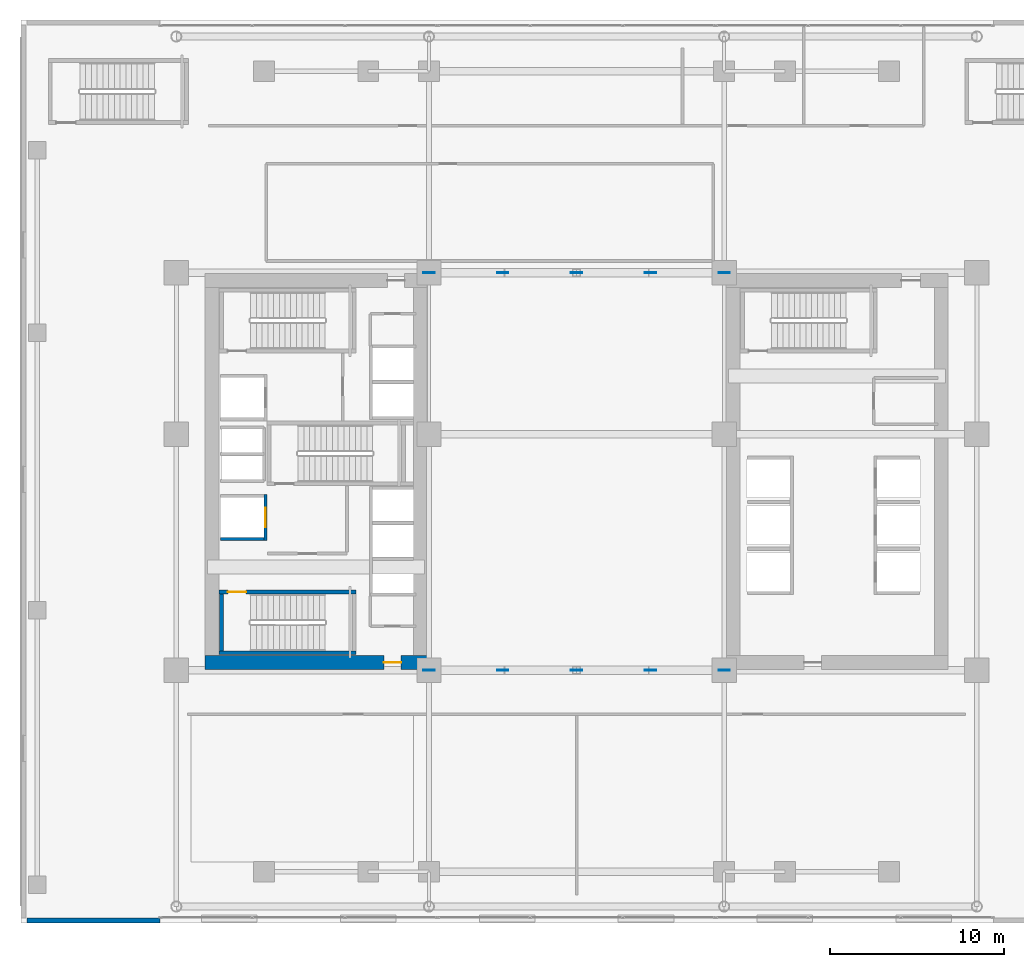
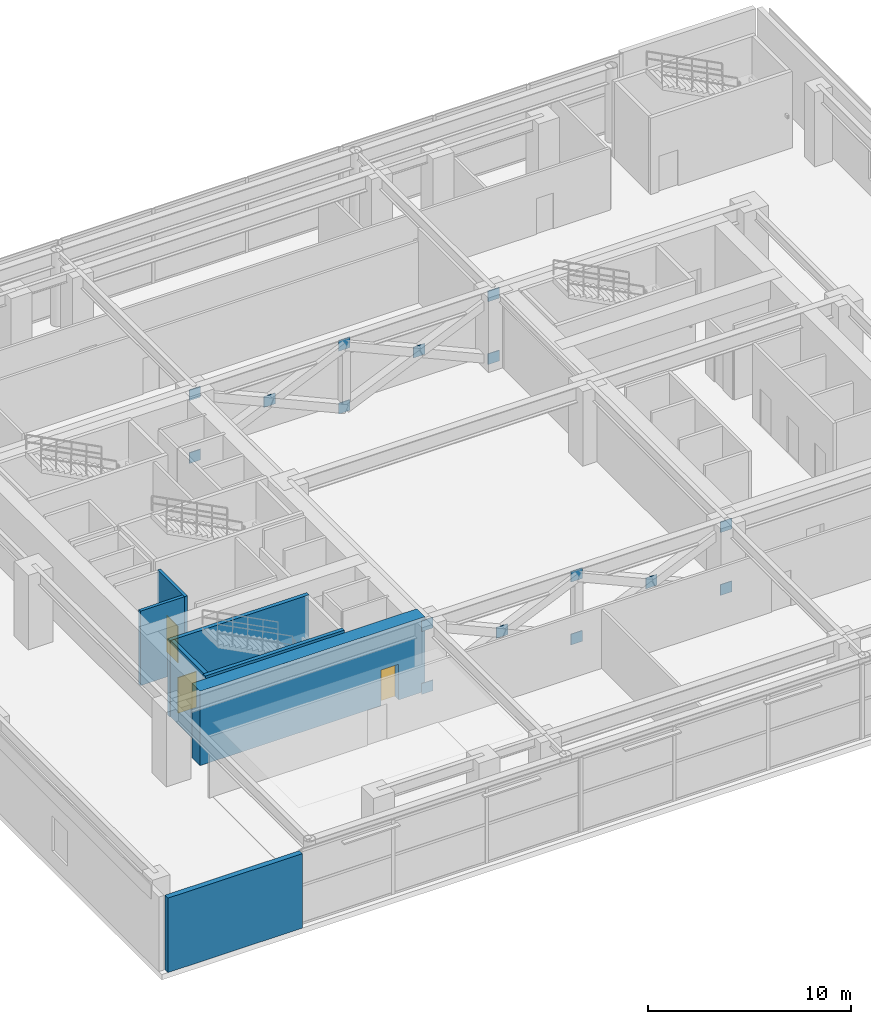
# One storey, part 18 of 28: 16 plates, 7 walls, 3 doors, 3 openings.
"""IFC4 building model written with IfcOpenShell, lengths in metres."""

from ifc_helpers import new_model, si_unit, direction, frame, frame_2d, origin, origin_2d, place, context, subcontext, project, spatial, rectangle, extrude, source, transform, mapped, material, layer, layer_set, type_object, element, fill, save


model = new_model("IFC4")

# Units and contexts
model_context = context("Model", 3, precision=1e-05, world=origin(), true_north=direction((0.0, 1.0)))
body_context = subcontext(model_context, "Body", "Model", "MODEL_VIEW")
ifc_project = project(units=[si_unit("LENGTHUNIT", "METRE"), si_unit("AREAUNIT", "SQUARE_METRE"), si_unit("VOLUMEUNIT", "CUBIC_METRE"), si_unit("PLANEANGLEUNIT", "RADIAN"), si_unit("MASSUNIT", "GRAM", prefix="KILO")], contexts=[model_context])

# Site, building, storey
site_placement = place(None, origin())
site = spatial("IfcSite", under=ifc_project, at=site_placement, CompositionType="ELEMENT")
building_placement = place(site_placement, origin())
building = spatial("IfcBuilding", under=site, at=building_placement, Name="Ocotamira Hotel", CompositionType="ELEMENT")
storey_placement = place(building_placement, frame((0.0, 0.0, 24.0)))
storey = spatial("IfcBuildingStorey", under=building, at=storey_placement, Name="L05", CompositionType="ELEMENT", Elevation=24.0)

# Plates
ifc_material_1 = material(Name="Pale-metal coated steel ASTM A572 Grade 50", Category="steel")
ifc_layer_1 = layer(ifc_material_1, 0.0400390625)
ifc_layer_set_1 = layer_set([ifc_layer_1], Name="Pale-metal coated steel ASTM A572 Grade 50")
plate_type = type_object("IfcPlateType", Name="PLT-GUSSET-40", PredefinedType="SHEET", material=ifc_layer_set_1)
shared_shape_1 = source(origin(), body_context, "Body", "SweptSolid", [
    extrude(rectangle(XDim=0.64990234375, YDim=0.0400390625, at=origin_2d()), origin(), (0.0, 0.0, 1.0), 0.64990234375),
])
for number, where, z_axis, x_axis, name in (
    (1, (32.0, 14.550048828125, -0.074951171875), (0.0, 0.0, 1.0), (1.0, 0.0, 0.0), "L05 Portal Transfer Truss Post Y14.55 End Gusset A"),
    (2, (32.0, 14.550048828125, 3.705078125), (0.0, 0.0, 1.0), (1.0, 0.0, 0.0), "L05 Portal Transfer Truss Post Y14.55 End Gusset B"),
    (3, (23.5, 14.550048828125, -0.074951171875), (0.0, 0.0, 1.0), (1.0, 0.0, 0.0), "L05 Portal Transfer Truss Diagonal Y14.55-1 End Gusset A"),
    (4, (27.75, 14.550048828125, 1.81494140625), (0.0, 0.0, 1.0), (1.0, 0.0, 0.0), "L05 Portal Transfer Truss Diagonal Y14.55-3 Crossing Gusset Plate"),
    (5, (23.5, 14.550048828125, 3.705078125), (0.0, 0.0, 1.0), (1.0, 0.0, 0.0), "L05 Portal Transfer Truss Diagonal Y14.55-3 End Gusset A"),
    (6, (40.5, 14.550048828125, -0.074951171875), (0.0, 0.0, 1.0), (1.0, 0.0, 0.0), "L05 Portal Transfer Truss Diagonal Y14.55-2 End Gusset B"),
    (7, (36.25, 14.550048828125, 1.81494140625), (0.0, 0.0, 1.0), (1.0, 0.0, 0.0), "L05 Portal Transfer Truss Diagonal Y14.55-4 Crossing Gusset Plate"),
    (8, (40.5, 14.550048828125, 3.705078125), (0.0, 0.0, 1.0), (1.0, 0.0, 0.0), "L05 Portal Transfer Truss Diagonal Y14.55-4 End Gusset B"),
    (9, (32.0, 37.449951171875, -0.074951171875), (0.0, 0.0, 1.0), (1.0, 0.0, 0.0), "L05 Portal Transfer Truss Post Y37.45 End Gusset A"),
    (10, (32.0, 37.449951171875, 3.705078125), (0.0, 0.0, 1.0), (1.0, 0.0, 0.0), "L05 Portal Transfer Truss Post Y37.45 End Gusset B"),
    (11, (23.5, 37.449951171875, -0.074951171875), (0.0, 0.0, 1.0), (1.0, 0.0, 0.0), "L05 Portal Transfer Truss Diagonal Y37.45-1 End Gusset A"),
    (12, (27.75, 37.449951171875, 1.81494140625), (0.0, 0.0, 1.0), (1.0, 0.0, 0.0), "L05 Portal Transfer Truss Diagonal Y37.45-3 Crossing Gusset Plate"),
    (13, (23.5, 37.449951171875, 3.705078125), (0.0, 0.0, 1.0), (1.0, 0.0, 0.0), "L05 Portal Transfer Truss Diagonal Y37.45-3 End Gusset A"),
    (14, (40.5, 37.449951171875, -0.074951171875), (0.0, 0.0, 1.0), (1.0, 0.0, 0.0), "L05 Portal Transfer Truss Diagonal Y37.45-2 End Gusset B"),
    (15, (36.25, 37.449951171875, 1.81494140625), (0.0, 0.0, 1.0), (1.0, 0.0, 0.0), "L05 Portal Transfer Truss Diagonal Y37.45-4 Crossing Gusset Plate"),
    (16, (40.5, 37.449951171875, 3.705078125), (0.0, 0.0, 1.0), (1.0, 0.0, 0.0), "L05 Portal Transfer Truss Diagonal Y37.45-4 End Gusset B"),
):
    element("IfcPlate", number, at=place(storey_placement, frame(where, z_axis=z_axis, x_axis=x_axis)), inside=storey, type_object=plate_type, Name=name, PredefinedType="SHEET", context=body_context, shape_type="MappedRepresentation", body=[
        mapped(shared_shape_1, transform((0.0, 0.0, 0.0), scale=1.0)),
    ])

# Wall, opening, door
ifc_material_2 = material(Name="Concrete C60/75", Category="concrete")
ifc_layer_2 = layer(ifc_material_2, 0.800048828125)
ifc_layer_set_2 = layer_set([ifc_layer_2], Name="Concrete C60/75")
wall_type_1 = type_object("IfcWallType", Name="WL-CORE-800", PredefinedType="SHEAR", material=ifc_layer_set_2)
wall_1_placement = place(storey_placement, frame((10.60009765625, 15.0, 0.0), z_axis=(0.0, 0.0, 1.0), x_axis=(1.0, 0.0, 0.0)))
wall_1 = element("IfcWall", 17, at=wall_1_placement, inside=storey, type_object=wall_type_1, Name="L05 Shear Core Wall WCORE-S", PredefinedType="SHEAR", context=body_context, shape_type="SweptSolid", body=[
    extrude(rectangle(XDim=12.7998046875, YDim=0.800048828125, at=frame_2d((6.39990234375, 0.0))), origin(), (0.0, 0.0, 1.0), 4.47998046875),
])
opening_1_placement = place(wall_1_placement, frame((10.300048828125, 0.0, 0.0)))
opening_1 = element("IfcOpeningElement", 18, at=opening_1_placement, cuts=wall_1, Name="Opening D-FR2", PredefinedType="OPENING", context=body_context, shape_type="SweptSolid", body=[
    extrude(rectangle(XDim=1.0, YDim=2.14990234375, at=frame_2d((0.5, 1.074951171875))), frame((0.0, 0.41015625, 0.0), z_axis=(0.0, -1.0, 0.0), x_axis=(1.0, 0.0, 0.0)), (0.0, 0.0, 1.0), 0.820068359375),
])
ifc_material_3 = material(Name="Fire-rated acoustic timber-veneer door", Category="wood")
door_type_1 = type_object("IfcDoorType", Name="DR-FIRE-1000", OperationType="NOTDEFINED", PredefinedType="DOOR", material=ifc_material_3)
shared_shape_2 = source(origin(), body_context, "Body", "SweptSolid", [
    extrude(rectangle(XDim=1.0, YDim=2.14990234375, at=frame_2d((0.5, 1.074951171875))), frame((0.0, 0.02490234375, 0.0), z_axis=(0.0, -1.0, 0.0), x_axis=(1.0, 0.0, 0.0)), (0.0, 0.0, 1.0), 0.050048828125),
])
door_1_placement = place(opening_1_placement, origin())
door_1 = element("IfcDoor", 19, at=door_1_placement, inside=storey, type_object=door_type_1, Name="L05 Door ID-L05-WLOB-S-D [ID-L05-WLOB-S-D]", OperationType="SINGLE_SWING_LEFT", OverallHeight=2.14990234375, OverallWidth=1.0, PredefinedType="DOOR", context=body_context, shape_type="MappedRepresentation", body=[
    mapped(shared_shape_2, transform((0.0, 0.0, 0.0), scale=1.0)),
])
fill(opening_1, door_1)

# Walls
ifc_material_4 = material(Name="Travertine-clad precast concrete C45/55", Category="masonry")
ifc_layer_3 = layer(ifc_material_4, 0.300048828125)
ifc_layer_set_3 = layer_set([ifc_layer_3], Name="Travertine-clad precast concrete C45/55")
wall_type_2 = type_object("IfcWallType", Name="WL-EXT-POD-300", PredefinedType="SOLIDWALL", material=ifc_layer_set_3)
wall_2_placement = place(storey_placement, frame((0.35009765625, 0.14990234375, 0.0), z_axis=(0.0, 0.0, 1.0), x_axis=(1.0, 0.0, 0.0)))
element("IfcWall", 20, at=wall_2_placement, inside=storey, type_object=wall_type_2, Name="L05 Podium Perimeter Wall S1", PredefinedType="SOLIDWALL", context=body_context, shape_type="SweptSolid", body=[
    extrude(rectangle(XDim=7.64990234375, YDim=0.300048828125, at=frame_2d((3.824951171875, 0.0))), origin(), (0.0, 0.0, 1.0), 4.47998046875),
])
ifc_material_5 = material(Name="Fire-rated gypsum shaftliner board assembly", Category="gypsum")
ifc_layer_4 = layer(ifc_material_5, 0.179931640625)
ifc_layer_set_4 = layer_set([ifc_layer_4], Name="Fire-rated gypsum shaftliner board assembly")
wall_type_3 = type_object("IfcWallType", Name="WL-SHAFT-180", PredefinedType="SOLIDWALL", material=ifc_layer_set_4)
wall_3_placement = place(storey_placement, frame((11.5, 22.110107421875, 0.0), z_axis=(0.0, 0.0, 1.0), x_axis=(1.0, 0.0, 0.0)))
element("IfcWall", 21, at=wall_3_placement, inside=storey, type_object=wall_type_3, Name="L05 Interior Wall PW-L05-LFW-LF-FSAE1-S", PredefinedType="SOLIDWALL", context=body_context, shape_type="SweptSolid", body=[
    extrude(rectangle(XDim=2.5, YDim=0.179931640625, at=frame_2d((1.25, 0.0))), origin(), (0.0, 0.0, 1.0), 4.47998046875),
])

# Wall, opening, door
wall_4_placement = place(storey_placement, frame((14.090087890625, 22.02001953125, 0.0), z_axis=(0.0, 0.0, 1.0), x_axis=(0.0, 1.0, 0.0)))
wall_4 = element("IfcWall", 22, at=wall_4_placement, inside=storey, type_object=wall_type_3, Name="L05 Interior Wall PW-L05-LFW-LF-FSAE1-E", PredefinedType="SOLIDWALL", context=body_context, shape_type="SweptSolid", body=[
    extrude(rectangle(XDim=2.659912109375, YDim=0.179931640625, at=frame_2d((1.330078125, 0.0))), origin(), (0.0, 0.0, 1.0), 4.47998046875),
])
opening_2_placement = place(wall_4_placement, frame((0.780029296875, 0.0, 0.0)))
opening_2 = element("IfcOpeningElement", 23, at=opening_2_placement, cuts=wall_4, Name="Opening LD-LF-FSAE1", PredefinedType="OPENING", context=body_context, shape_type="SweptSolid", body=[
    extrude(rectangle(XDim=1.10009765625, YDim=2.199951171875, at=frame_2d((0.550048828125, 1.10009765625))), frame((0.0, 0.10009765625, 0.0), z_axis=(0.0, -1.0, 0.0), x_axis=(1.0, 0.0, 0.0)), (0.0, 0.0, 1.0), 0.199951171875),
])
ifc_material_6 = material(Name="Brushed pale-metal stainless elevator landing door", Category="steel")
door_type_2 = type_object("IfcDoorType", Name="DR-LIFT-1100", OperationType="NOTDEFINED", PredefinedType="DOOR", material=ifc_material_6)
shared_shape_3 = source(origin(), body_context, "Body", "SweptSolid", [
    extrude(rectangle(XDim=1.10009765625, YDim=2.199951171875, at=frame_2d((0.550048828125, 1.10009765625))), frame((0.0, 0.02490234375, 0.0), z_axis=(0.0, -1.0, 0.0), x_axis=(1.0, 0.0, 0.0)), (0.0, 0.0, 1.0), 0.050048828125),
])
door_2_placement = place(opening_2_placement, origin())
door_2 = element("IfcDoor", 24, at=door_2_placement, inside=storey, type_object=door_type_2, Name="L05 Landing Door LD-LF-FSAE1 [ID-L05-LD-LF-FSAE1]", OperationType="DOUBLE_DOOR_SLIDING", OverallHeight=2.199951171875, OverallWidth=1.10009765625, PredefinedType="DOOR", context=body_context, shape_type="MappedRepresentation", body=[
    mapped(shared_shape_3, transform((0.0, 0.0, 0.0), scale=1.0)),
])
fill(opening_2, door_2)

# Wall
ifc_material_7 = material(Name="Concrete C50/60", Category="concrete")
ifc_layer_5 = layer(ifc_material_7, 0.219970703125)
ifc_layer_set_5 = layer_set([ifc_layer_5], Name="Concrete C50/60")
wall_type_4 = type_object("IfcWallType", Name="WL-STAIR-220", PredefinedType="SHEAR", material=ifc_layer_set_5)
wall_5_placement = place(storey_placement, frame((11.39990234375, 15.56005859375, 0.0), z_axis=(0.0, 0.0, 1.0), x_axis=(1.0, 0.0, 0.0)))
element("IfcWall", 25, at=wall_5_placement, inside=storey, type_object=wall_type_4, Name="L05 Stair Shaft Structural Wall ST-1-S", PredefinedType="SHEAR", context=body_context, shape_type="SweptSolid", body=[
    extrude(rectangle(XDim=7.91015625, YDim=0.219970703125, at=frame_2d((3.955078125, 0.0))), origin(), (0.0, 0.0, 1.0), 4.60009765625),
])

# Wall, opening, door
wall_6_placement = place(storey_placement, frame((11.39990234375, 19.06005859375, 0.0), z_axis=(0.0, 0.0, 1.0), x_axis=(1.0, 0.0, 0.0)))
wall_6 = element("IfcWall", 26, at=wall_6_placement, inside=storey, type_object=wall_type_4, Name="L05 Stair Shaft Structural Wall ST-1-N", PredefinedType="SHEAR", context=body_context, shape_type="SweptSolid", body=[
    extrude(rectangle(XDim=7.91015625, YDim=0.219970703125, at=frame_2d((3.955078125, 0.0))), origin(), (0.0, 0.0, 1.0), 4.60009765625),
])
opening_3_placement = place(wall_6_placement, frame((0.52001953125, 0.0, 0.0)))
opening_3 = element("IfcOpeningElement", 27, at=opening_3_placement, cuts=wall_6, Name="Opening D-ST2", PredefinedType="OPENING", context=body_context, shape_type="SweptSolid", body=[
    extrude(rectangle(XDim=1.050048828125, YDim=2.14990234375, at=frame_2d((0.52490234375, 1.074951171875))), frame((0.0, 0.1201171875, 0.0), z_axis=(0.0, -1.0, 0.0), x_axis=(1.0, 0.0, 0.0)), (0.0, 0.0, 1.0), 0.239990234375),
])
ifc_material_8 = material(Name="Insulated painted hollow-metal fire exit door", Category="steel")
door_type_3 = type_object("IfcDoorType", Name="DR-STAIR-1050", OperationType="NOTDEFINED", PredefinedType="DOOR", material=ifc_material_8)
shared_shape_4 = source(origin(), body_context, "Body", "SweptSolid", [
    extrude(rectangle(XDim=1.050048828125, YDim=2.14990234375, at=frame_2d((0.52490234375, 1.074951171875))), frame((0.0, 0.02490234375, 0.0), z_axis=(0.0, -1.0, 0.0), x_axis=(1.0, 0.0, 0.0)), (0.0, 0.0, 1.0), 0.050048828125),
])
door_3_placement = place(opening_3_placement, origin())
door_3 = element("IfcDoor", 28, at=door_3_placement, inside=storey, type_object=door_type_3, Name="L05 Door ID-L05-STD-ST-1 [ID-L05-STD-ST-1]", OperationType="SINGLE_SWING_RIGHT", OverallHeight=2.14990234375, OverallWidth=1.050048828125, PredefinedType="DOOR", context=body_context, shape_type="MappedRepresentation", body=[
    mapped(shared_shape_4, transform((0.0, 0.0, 0.0), scale=1.0)),
])
fill(opening_3, door_3)

# Wall
wall_7_placement = place(storey_placement, frame((11.56005859375, 15.669921875, 0.0), z_axis=(0.0, 0.0, 1.0), x_axis=(0.0, 1.0, 0.0)))
element("IfcWall", 29, at=wall_7_placement, inside=storey, type_object=wall_type_4, Name="L05 Stair Shaft Structural Wall ST-1-W", PredefinedType="SHEAR", context=body_context, shape_type="SweptSolid", body=[
    extrude(rectangle(XDim=3.280029296875, YDim=0.219970703125, at=frame_2d((1.64013671875, 0.0))), origin(), (0.0, 0.0, 1.0), 4.60009765625),
])

save(model, "model.ifc")
